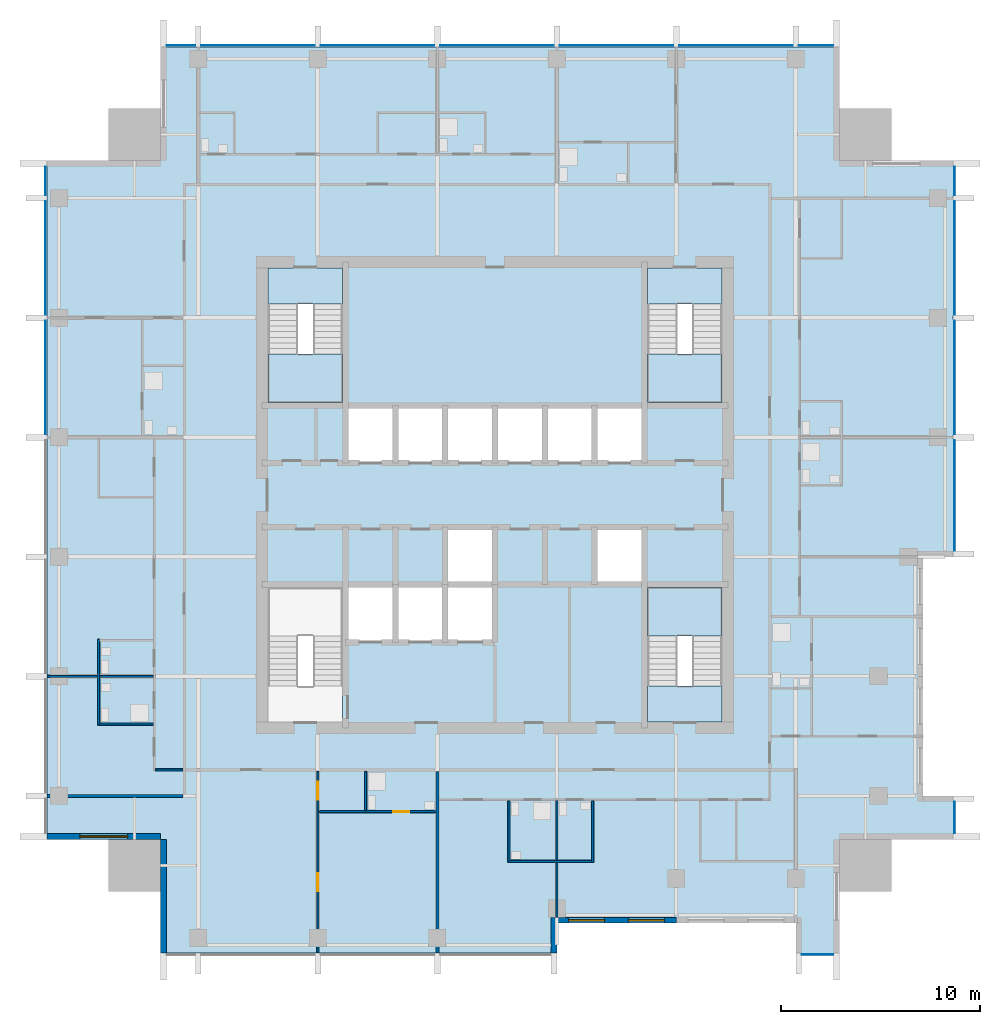
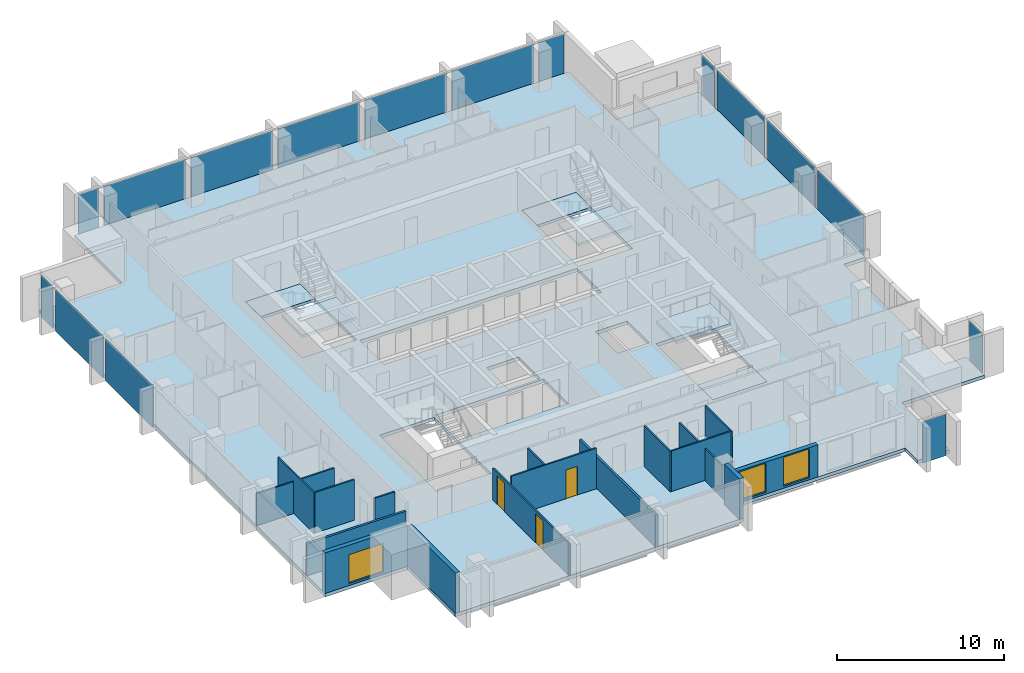
# One storey, part 3 of 10: 17 walls, 16 plates, 7 slabs, 3 doors, 3 windows, 6 openings, 8 elements without a shape of their own.
"""IFC4 building model written with IfcOpenShell, lengths in metres."""

from ifc_helpers import new_model, si_unit, direction, frame, frame_2d, origin, origin_2d, place, context, subcontext, project, spatial, polyline, rectangle, outline, extrude, material, layer, layer_set, type_object, element, fill, aggregate, save


model = new_model("IFC4")

# Units and contexts
model_context = context("Model", 3, precision=1e-05, world=origin(), true_north=direction((0.0, 1.0)))
body_context = subcontext(model_context, "Body", "Model", "MODEL_VIEW")
ifc_project = project(units=[si_unit("LENGTHUNIT", "METRE"), si_unit("AREAUNIT", "SQUARE_METRE"), si_unit("VOLUMEUNIT", "CUBIC_METRE"), si_unit("PLANEANGLEUNIT", "RADIAN"), si_unit("MASSUNIT", "GRAM", prefix="KILO")], contexts=[model_context])

# Site, building, storey
site_placement = place(None, origin())
site = spatial("IfcSite", under=ifc_project, at=site_placement, CompositionType="ELEMENT")
building_placement = place(site_placement, origin())
building = spatial("IfcBuilding", under=site, at=building_placement, Name="Amberfall Residences", CompositionType="ELEMENT")
storey_placement = place(building_placement, frame((0.0, 0.0, 226.60009765625)))
storey = spatial("IfcBuildingStorey", under=building, at=storey_placement, Name="L61", CompositionType="ELEMENT", Elevation=226.60009765625)

# Curtain wall, plate
ifc_material_1 = material(Name="Bronze anodised aluminium and glass", Category="aluminium")
curtain_wall_type = type_object("IfcCurtainWallType", Name="Curtain wall CW1 tower unit", PredefinedType="USERDEFINED", material=ifc_material_1)
curtain_wall_1_placement = place(storey_placement, origin())
curtain_wall_1 = element("IfcCurtainWall", 1, at=curtain_wall_1_placement, inside=storey, type_object=curtain_wall_type, Name="Curtain wall L61 S S6", ObjectType="UNITISED CURTAIN WALL", PredefinedType="USERDEFINED")
ifc_material_2 = material(Name="Tinted double glazed unit", Category="glass")
ifc_layer_1 = layer(ifc_material_2, 0.035888671875)
ifc_layer_set_1 = layer_set([ifc_layer_1], Name="CW1 panel 36 glazing")
plate_type = type_object("IfcPlateType", Name="CW1 panel 36 glazing", PredefinedType="CURTAIN_PANEL", material=ifc_layer_set_1)
plate_1_placement = place(storey_placement, frame((90.699951171875, 22.425048828125, -0.25), z_axis=(0.0, 0.0, 1.0), x_axis=(1.0, 0.0, 0.0)))
plate_1 = element("IfcPlate", 2, at=plate_1_placement, type_object=plate_type, Name="CW1 panel 1.1", PredefinedType="CURTAIN_PANEL", context=body_context, shape_type="SweptSolid", body=[
    extrude(rectangle(XDim=1.575927734375, YDim=0.035888671875, at=origin_2d()), origin(), (0.0, 0.0, 1.0), 3.050048828125),
])
aggregate(curtain_wall_1, [plate_1])

curtain_wall_2_placement = place(storey_placement, origin())
curtain_wall_2 = element("IfcCurtainWall", 3, at=curtain_wall_2_placement, inside=storey, type_object=curtain_wall_type, Name="Curtain wall L61 E E1", ObjectType="UNITISED CURTAIN WALL", PredefinedType="USERDEFINED")
plate_2_placement = place(storey_placement, frame((97.574951171875, 29.300048828125, -0.25), z_axis=(0.0, 0.0, 1.0), x_axis=(0.0, 1.0, 0.0)))
plate_2 = element("IfcPlate", 4, at=plate_2_placement, type_object=plate_type, Name="CW1 panel 1.1", PredefinedType="CURTAIN_PANEL", context=body_context, shape_type="SweptSolid", body=[
    extrude(rectangle(XDim=1.575927734375, YDim=0.035888671875, at=origin_2d()), origin(), (0.0, 0.0, 1.0), 3.050048828125),
])
aggregate(curtain_wall_2, [plate_2])

# Curtain wall, plates
curtain_wall_3_placement = place(storey_placement, origin())
curtain_wall_3 = element("IfcCurtainWall", 5, at=curtain_wall_3_placement, inside=storey, type_object=curtain_wall_type, Name="Curtain wall L61 E E6", ObjectType="UNITISED CURTAIN WALL", PredefinedType="USERDEFINED")
plate_3_placement = place(storey_placement, frame((97.574951171875, 45.47509765625, -0.25), z_axis=(0.0, 0.0, 1.0), x_axis=(0.0, 1.0, 0.0)))
plate_3 = element("IfcPlate", 6, at=plate_3_placement, type_object=plate_type, Name="CW1 panel 1.1", PredefinedType="CURTAIN_PANEL", context=body_context, shape_type="SweptSolid", body=[
    extrude(rectangle(XDim=5.52587890625, YDim=0.035888671875, at=origin_2d()), origin(), (0.0, 0.0, 1.0), 3.050048828125),
])
plate_4_placement = place(storey_placement, frame((97.574951171875, 51.39990234375, -0.25), z_axis=(0.0, 0.0, 1.0), x_axis=(0.0, 1.0, 0.0)))
plate_4 = element("IfcPlate", 7, at=plate_4_placement, type_object=plate_type, Name="CW1 panel 2.1", PredefinedType="CURTAIN_PANEL", context=body_context, shape_type="SweptSolid", body=[
    extrude(rectangle(XDim=5.676025390625, YDim=0.035888671875, at=origin_2d()), origin(), (0.0, 0.0, 1.0), 3.050048828125),
])
plate_5_placement = place(storey_placement, frame((97.574951171875, 57.39990234375, -0.25), z_axis=(0.0, 0.0, 1.0), x_axis=(0.0, 1.0, 0.0)))
plate_5 = element("IfcPlate", 8, at=plate_5_placement, type_object=plate_type, Name="CW1 panel 3.1", PredefinedType="CURTAIN_PANEL", context=body_context, shape_type="SweptSolid", body=[
    extrude(rectangle(XDim=5.676025390625, YDim=0.035888671875, at=origin_2d()), origin(), (0.0, 0.0, 1.0), 3.050048828125),
])
plate_6_placement = place(storey_placement, frame((97.574951171875, 61.27490234375, -0.25), z_axis=(0.0, 0.0, 1.0), x_axis=(0.0, 1.0, 0.0)))
plate_6 = element("IfcPlate", 9, at=plate_6_placement, type_object=plate_type, Name="CW1 panel 4.1", PredefinedType="CURTAIN_PANEL", context=body_context, shape_type="SweptSolid", body=[
    extrude(rectangle(XDim=1.426025390625, YDim=0.035888671875, at=origin_2d()), origin(), (0.0, 0.0, 1.0), 3.050048828125),
])
aggregate(curtain_wall_3, [plate_3, plate_4, plate_5, plate_6])

curtain_wall_4_placement = place(storey_placement, origin())
curtain_wall_4 = element("IfcCurtainWall", 10, at=curtain_wall_4_placement, inside=storey, type_object=curtain_wall_type, Name="Curtain wall L61 N N1", ObjectType="UNITISED CURTAIN WALL", PredefinedType="USERDEFINED")
plate_7_placement = place(storey_placement, frame((90.625, 68.074951171875, -0.25), z_axis=(0.0, 0.0, 1.0), x_axis=(-1.0, 0.0, 0.0)))
plate_7 = element("IfcPlate", 11, at=plate_7_placement, type_object=plate_type, Name="CW1 panel 1.1", PredefinedType="CURTAIN_PANEL", context=body_context, shape_type="SweptSolid", body=[
    extrude(rectangle(XDim=1.72607421875, YDim=0.035888671875, at=origin_2d()), origin(), (0.0, 0.0, 1.0), 3.050048828125),
])
plate_8_placement = place(storey_placement, frame((86.60009765625, 68.074951171875, -0.25), z_axis=(0.0, 0.0, 1.0), x_axis=(-1.0, 0.0, 0.0)))
plate_8 = element("IfcPlate", 12, at=plate_8_placement, type_object=plate_type, Name="CW1 panel 2.1", PredefinedType="CURTAIN_PANEL", context=body_context, shape_type="SweptSolid", body=[
    extrude(rectangle(XDim=5.676025390625, YDim=0.035888671875, at=origin_2d()), origin(), (0.0, 0.0, 1.0), 3.050048828125),
])
plate_9_placement = place(storey_placement, frame((80.60009765625, 68.074951171875, -0.25), z_axis=(0.0, 0.0, 1.0), x_axis=(-1.0, 0.0, 0.0)))
plate_9 = element("IfcPlate", 13, at=plate_9_placement, type_object=plate_type, Name="CW1 panel 3.1", PredefinedType="CURTAIN_PANEL", context=body_context, shape_type="SweptSolid", body=[
    extrude(rectangle(XDim=5.676025390625, YDim=0.035888671875, at=origin_2d()), origin(), (0.0, 0.0, 1.0), 3.050048828125),
])
plate_10_placement = place(storey_placement, frame((74.60009765625, 68.074951171875, -0.25), z_axis=(0.0, 0.0, 1.0), x_axis=(-1.0, 0.0, 0.0)))
plate_10 = element("IfcPlate", 14, at=plate_10_placement, type_object=plate_type, Name="CW1 panel 4.1", PredefinedType="CURTAIN_PANEL", context=body_context, shape_type="SweptSolid", body=[
    extrude(rectangle(XDim=5.676025390625, YDim=0.035888671875, at=origin_2d()), origin(), (0.0, 0.0, 1.0), 3.050048828125),
])
plate_11_placement = place(storey_placement, frame((68.60009765625, 68.074951171875, -0.25), z_axis=(0.0, 0.0, 1.0), x_axis=(-1.0, 0.0, 0.0)))
plate_11 = element("IfcPlate", 15, at=plate_11_placement, type_object=plate_type, Name="CW1 panel 5.1", PredefinedType="CURTAIN_PANEL", context=body_context, shape_type="SweptSolid", body=[
    extrude(rectangle(XDim=5.676025390625, YDim=0.035888671875, at=origin_2d()), origin(), (0.0, 0.0, 1.0), 3.050048828125),
])
plate_12_placement = place(storey_placement, frame((62.60009765625, 68.074951171875, -0.25), z_axis=(0.0, 0.0, 1.0), x_axis=(-1.0, 0.0, 0.0)))
plate_12 = element("IfcPlate", 16, at=plate_12_placement, type_object=plate_type, Name="CW1 panel 6.1", PredefinedType="CURTAIN_PANEL", context=body_context, shape_type="SweptSolid", body=[
    extrude(rectangle(XDim=5.676025390625, YDim=0.035888671875, at=origin_2d()), origin(), (0.0, 0.0, 1.0), 3.050048828125),
])
plate_13_placement = place(storey_placement, frame((58.72509765625, 68.074951171875, -0.25), z_axis=(0.0, 0.0, 1.0), x_axis=(-1.0, 0.0, 0.0)))
plate_13 = element("IfcPlate", 17, at=plate_13_placement, type_object=plate_type, Name="CW1 panel 7.1", PredefinedType="CURTAIN_PANEL", context=body_context, shape_type="SweptSolid", body=[
    extrude(rectangle(XDim=1.426025390625, YDim=0.035888671875, at=origin_2d()), origin(), (0.0, 0.0, 1.0), 3.050048828125),
])
aggregate(curtain_wall_4, [plate_7, plate_8, plate_9, plate_10, plate_11, plate_12, plate_13])

curtain_wall_5_placement = place(storey_placement, origin())
curtain_wall_5 = element("IfcCurtainWall", 18, at=curtain_wall_5_placement, inside=storey, type_object=curtain_wall_type, Name="Curtain wall L61 W W1", ObjectType="UNITISED CURTAIN WALL", PredefinedType="USERDEFINED")
plate_14_placement = place(storey_placement, frame((51.925048828125, 61.27490234375, -0.25), z_axis=(0.0, 0.0, 1.0), x_axis=(0.0, -1.0, 0.0)))
plate_14 = element("IfcPlate", 19, at=plate_14_placement, type_object=plate_type, Name="CW1 panel 1.1", PredefinedType="CURTAIN_PANEL", context=body_context, shape_type="SweptSolid", body=[
    extrude(rectangle(XDim=1.426025390625, YDim=0.035888671875, at=origin_2d()), origin(), (0.0, 0.0, 1.0), 3.050048828125),
])
plate_15_placement = place(storey_placement, frame((51.925048828125, 57.39990234375, -0.25), z_axis=(0.0, 0.0, 1.0), x_axis=(0.0, -1.0, 0.0)))
plate_15 = element("IfcPlate", 20, at=plate_15_placement, type_object=plate_type, Name="CW1 panel 2.1", PredefinedType="CURTAIN_PANEL", context=body_context, shape_type="SweptSolid", body=[
    extrude(rectangle(XDim=5.676025390625, YDim=0.035888671875, at=origin_2d()), origin(), (0.0, 0.0, 1.0), 3.050048828125),
])
plate_16_placement = place(storey_placement, frame((51.925048828125, 51.39990234375, -0.25), z_axis=(0.0, 0.0, 1.0), x_axis=(0.0, -1.0, 0.0)))
plate_16 = element("IfcPlate", 21, at=plate_16_placement, type_object=plate_type, Name="CW1 panel 3.1", PredefinedType="CURTAIN_PANEL", context=body_context, shape_type="SweptSolid", body=[
    extrude(rectangle(XDim=5.676025390625, YDim=0.035888671875, at=origin_2d()), origin(), (0.0, 0.0, 1.0), 3.050048828125),
])
aggregate(curtain_wall_5, [plate_14, plate_15, plate_16])

# Slab
ifc_material_3 = material(Name="Concrete C55", Category="concrete")
ifc_layer_2 = layer(ifc_material_3, 0.25)
ifc_layer_set_2 = layer_set([ifc_layer_2], Name="Floor slab 250 C55")
slab_type_1 = type_object("IfcSlabType", Name="Floor slab 250 C55", PredefinedType="FLOOR", material=ifc_layer_set_2)
slab_1_placement = place(storey_placement, frame((0.0, 0.0, -0.25)))
element("IfcSlab", 22, at=slab_1_placement, inside=storey, type_object=slab_type_1, Name="Floor slab S16 L61", PredefinedType="FLOOR", context=body_context, shape_type="SweptSolid", body=[
    extrude(outline(polyline([(89.60009765625, 22.5), (89.60009765625, 24.0), (83.60009765625, 24.0), (77.60009765625, 24.0), (77.60009765625, 22.5), (57.699951171875, 22.5), (57.699951171875, 28.199951171875), (52.0, 28.199951171875), (52.0, 62.300048828125), (57.699951171875, 62.300048828125), (57.699951171875, 68.0), (91.800048828125, 68.0), (91.800048828125, 62.300048828125), (97.5, 62.300048828125), (97.5, 42.39990234375), (96.0, 42.39990234375), (96.0, 36.39990234375), (96.0, 30.39990234375), (97.5, 30.39990234375), (97.5, 28.199951171875), (91.800048828125, 28.199951171875), (91.800048828125, 22.5), (89.60009765625, 22.5)]), holes=[polyline([(85.89990234375, 34.10009765625), (85.89990234375, 40.85009765625), (82.14990234375, 40.85009765625), (82.14990234375, 34.10009765625), (85.89990234375, 34.10009765625)]), polyline([(85.89990234375, 50.14990234375), (85.89990234375, 56.89990234375), (82.14990234375, 56.89990234375), (82.14990234375, 50.14990234375), (85.89990234375, 50.14990234375)]), polyline([(72.0, 50.0), (69.5, 50.0), (67.0, 50.0), (67.0, 47.10009765625), (69.5, 47.10009765625), (72.0, 47.10009765625), (74.5, 47.10009765625), (77.0, 47.10009765625), (79.5, 47.10009765625), (82.0, 47.10009765625), (82.0, 50.0), (79.5, 50.0), (77.0, 50.0), (74.5, 50.0), (72.0, 50.0)]), polyline([(81.85009765625, 41.14990234375), (81.85009765625, 43.75), (79.64990234375, 43.75), (79.64990234375, 41.14990234375), (81.85009765625, 41.14990234375)]), polyline([(69.5, 41.0), (67.0, 41.0), (67.0, 38.10009765625), (69.5, 38.10009765625), (72.0, 38.10009765625), (74.5, 38.10009765625), (74.5, 41.0), (72.0, 41.0), (69.5, 41.0)]), polyline([(74.35009765625, 41.14990234375), (74.35009765625, 43.75), (72.14990234375, 43.75), (72.14990234375, 41.14990234375), (74.35009765625, 41.14990234375)]), polyline([(66.85009765625, 50.14990234375), (66.85009765625, 56.89990234375), (63.10009765625, 56.89990234375), (63.10009765625, 50.14990234375), (66.85009765625, 50.14990234375)]), polyline([(66.85009765625, 40.85009765625), (63.10009765625, 40.85009765625), (63.10009765625, 34.10009765625), (66.85009765625, 34.10009765625), (66.85009765625, 40.85009765625)])]), origin(), (0.0, 0.0, 1.0), 0.25),
])

# Stair, slabs
ifc_material_4 = material(Name="Concrete C40", Category="concrete")
stair_type = type_object("IfcStairType", Name="Exit stair 20 risers 165.0 mm", PredefinedType="HALF_TURN_STAIR", material=ifc_material_4)
stair_1_placement = place(storey_placement, origin())
stair_1 = element("IfcStair", 23, at=stair_1_placement, inside=storey, type_object=stair_type, Name="L61 Exit stair 2", PredefinedType="HALF_TURN_STAIR")
ifc_layer_3 = layer(ifc_material_4, 0.199951171875)
ifc_layer_set_3 = layer_set([ifc_layer_3], Name="Stair landing 200")
slab_type_2 = type_object("IfcSlabType", Name="Stair landing 200", PredefinedType="LANDING", material=ifc_layer_set_3)
slab_2_placement = place(storey_placement, frame((0.0, 0.0, 1.449951171875)))
slab_2 = element("IfcSlab", 24, at=slab_2_placement, type_object=slab_type_2, Name="ST3 landing 1", PredefinedType="LANDING", context=body_context, shape_type="SweptSolid", body=[
    extrude(outline(polyline([(85.89990234375, 38.419921875), (85.89990234375, 40.85009765625), (82.14990234375, 40.85009765625), (82.14990234375, 38.419921875), (85.89990234375, 38.419921875)])), origin(), (0.0, 0.0, 1.0), 0.199951171875),
])
slab_3_placement = place(storey_placement, frame((0.0, 0.0, -0.2001953125)))
slab_3 = element("IfcSlab", 25, at=slab_3_placement, type_object=slab_type_2, Name="ST3 landing 2", PredefinedType="LANDING", context=body_context, shape_type="SweptSolid", body=[
    extrude(outline(polyline([(85.89990234375, 34.10009765625), (85.89990234375, 35.89990234375), (82.14990234375, 35.89990234375), (82.14990234375, 34.10009765625), (85.89990234375, 34.10009765625)])), origin(), (0.0, 0.0, 1.0), 0.2001953125),
])
aggregate(stair_1, [slab_2, slab_3])

stair_2_placement = place(storey_placement, origin())
stair_2 = element("IfcStair", 26, at=stair_2_placement, inside=storey, type_object=stair_type, Name="L61 Exit stair 3", PredefinedType="HALF_TURN_STAIR")
slab_4_placement = place(storey_placement, frame((0.0, 0.0, 1.449951171875)))
slab_4 = element("IfcSlab", 27, at=slab_4_placement, type_object=slab_type_2, Name="ST3 landing 1", PredefinedType="LANDING", context=body_context, shape_type="SweptSolid", body=[
    extrude(outline(polyline([(82.14990234375, 52.580078125), (82.14990234375, 50.14990234375), (85.89990234375, 50.14990234375), (85.89990234375, 52.580078125), (82.14990234375, 52.580078125)])), origin(), (0.0, 0.0, 1.0), 0.199951171875),
])
slab_5_placement = place(storey_placement, frame((0.0, 0.0, -0.2001953125)))
slab_5 = element("IfcSlab", 28, at=slab_5_placement, type_object=slab_type_2, Name="ST3 landing 2", PredefinedType="LANDING", context=body_context, shape_type="SweptSolid", body=[
    extrude(outline(polyline([(82.14990234375, 56.89990234375), (82.14990234375, 55.10009765625), (85.89990234375, 55.10009765625), (85.89990234375, 56.89990234375), (82.14990234375, 56.89990234375)])), origin(), (0.0, 0.0, 1.0), 0.2001953125),
])
aggregate(stair_2, [slab_4, slab_5])

stair_3_placement = place(storey_placement, origin())
stair_3 = element("IfcStair", 29, at=stair_3_placement, inside=storey, type_object=stair_type, Name="L61 Exit stair 4", PredefinedType="HALF_TURN_STAIR")
slab_6_placement = place(storey_placement, frame((0.0, 0.0, 1.449951171875)))
slab_6 = element("IfcSlab", 30, at=slab_6_placement, type_object=slab_type_2, Name="ST3 landing 1", PredefinedType="LANDING", context=body_context, shape_type="SweptSolid", body=[
    extrude(outline(polyline([(63.10009765625, 52.580078125), (63.10009765625, 50.14990234375), (66.85009765625, 50.14990234375), (66.85009765625, 52.580078125), (63.10009765625, 52.580078125)])), origin(), (0.0, 0.0, 1.0), 0.199951171875),
])
slab_7_placement = place(storey_placement, frame((0.0, 0.0, -0.2001953125)))
slab_7 = element("IfcSlab", 31, at=slab_7_placement, type_object=slab_type_2, Name="ST3 landing 2", PredefinedType="LANDING", context=body_context, shape_type="SweptSolid", body=[
    extrude(outline(polyline([(63.10009765625, 56.89990234375), (63.10009765625, 55.10009765625), (66.85009765625, 55.10009765625), (66.85009765625, 56.89990234375), (63.10009765625, 56.89990234375)])), origin(), (0.0, 0.0, 1.0), 0.2001953125),
])
aggregate(stair_3, [slab_6, slab_7])

# Wall
ifc_material_5 = material(Name="Pale stone cladding on insulated backing", Category="masonry")
ifc_layer_4 = layer(ifc_material_5, 0.300048828125)
ifc_layer_set_4 = layer_set([ifc_layer_4], Name="Bronze clad wall 300")
wall_type_1 = type_object("IfcWallType", Name="Bronze clad wall 300", PredefinedType="SOLIDWALL", material=ifc_layer_set_4)
wall_1_placement = place(storey_placement, frame((77.449951171875, 22.5, 0.0), z_axis=(0.0, 0.0, 1.0), x_axis=(0.0, 1.0, 0.0)))
element("IfcWall", 32, at=wall_1_placement, inside=storey, type_object=wall_type_1, Name="External wall L61 S", PredefinedType="SOLIDWALL", context=body_context, shape_type="SweptSolid", body=[
    extrude(rectangle(XDim=1.800048828125, YDim=0.300048828125, at=frame_2d((0.89990234375, 0.0))), origin(), (0.0, 0.0, 1.0), 2.949951171875),
])

# Wall, opening, window
wall_2_placement = place(storey_placement, frame((52.0, 28.35009765625, 0.0), z_axis=(0.0, 0.0, 1.0), x_axis=(1.0, 0.0, 0.0)))
wall_2 = element("IfcWall", 33, at=wall_2_placement, inside=storey, type_object=wall_type_1, Name="External wall L61 SW", PredefinedType="SOLIDWALL", context=body_context, shape_type="SweptSolid", body=[
    extrude(rectangle(XDim=5.699951171875, YDim=0.300048828125, at=frame_2d((2.85009765625, 0.0))), origin(), (0.0, 0.0, 1.0), 2.949951171875),
])
opening_1_placement = place(wall_2_placement, frame((1.64990234375, 0.0, 0.14990234375)))
opening_1 = element("IfcOpeningElement", 34, at=opening_1_placement, cuts=wall_2, Name="Opening WN5", PredefinedType="OPENING", context=body_context, shape_type="SweptSolid", body=[
    extrude(rectangle(XDim=2.39990234375, YDim=2.10009765625, at=frame_2d((1.199951171875, 1.050048828125))), frame((0.0, 0.159912109375, 0.0), z_axis=(0.0, -1.0, 0.0), x_axis=(1.0, 0.0, 0.0)), (0.0, 0.0, 1.0), 0.320068359375),
])
ifc_material_6 = material(Name="Bronze aluminium framed glazing", Category="aluminium")
window_type_1 = type_object("IfcWindowType", Name="Glazed opening 2400 x 2100 bronze", PartitioningType="DOUBLE_PANEL_VERTICAL", PredefinedType="WINDOW", material=ifc_material_6)
window_1_placement = place(opening_1_placement, origin())
window_1 = element("IfcWindow", 35, at=window_1_placement, inside=storey, type_object=window_type_1, Name="Window L61 SW", OverallHeight=2.10009765625, OverallWidth=2.39990234375, PartitioningType="DOUBLE_PANEL_VERTICAL", PredefinedType="WINDOW", context=body_context, shape_type="SweptSolid", body=[
    extrude(rectangle(XDim=2.39990234375, YDim=2.10009765625, at=frame_2d((1.199951171875, 1.050048828125))), frame((0.0, 0.030029296875, 0.0), z_axis=(0.0, -1.0, 0.0), x_axis=(1.0, 0.0, 0.0)), (0.0, 0.0, 1.0), 0.06005859375),
])
fill(opening_1, window_1)

# Wall
wall_3_placement = place(storey_placement, frame((57.85009765625, 28.199951171875, 0.0), z_axis=(0.0, 0.0, 1.0), x_axis=(0.0, -1.0, 0.0)))
element("IfcWall", 36, at=wall_3_placement, inside=storey, type_object=wall_type_1, Name="External wall L61 SW", PredefinedType="SOLIDWALL", context=body_context, shape_type="SweptSolid", body=[
    extrude(rectangle(XDim=5.699951171875, YDim=0.300048828125, at=frame_2d((2.85009765625, 0.0))), origin(), (0.0, 0.0, 1.0), 2.949951171875),
])

# Wall, openings, windows
wall_4_placement = place(storey_placement, frame((77.60009765625, 24.14990234375, 0.0), z_axis=(0.0, 0.0, 1.0), x_axis=(1.0, 0.0, 0.0)))
wall_4 = element("IfcWall", 37, at=wall_4_placement, inside=storey, type_object=wall_type_1, Name="Stone wall L61 S", PredefinedType="SOLIDWALL", context=body_context, shape_type="SweptSolid", body=[
    extrude(rectangle(XDim=6.0, YDim=0.300048828125, at=frame_2d((3.0, 0.0))), origin(), (0.0, 0.0, 1.0), 2.34033203125),
])
opening_2_placement = place(wall_4_placement, frame((0.60009765625, 0.0, 0.14990234375)))
opening_2 = element("IfcOpeningElement", 38, at=opening_2_placement, cuts=wall_4, Name="Opening WN6", PredefinedType="OPENING", context=body_context, shape_type="SweptSolid", body=[
    extrude(rectangle(XDim=1.800048828125, YDim=2.10009765625, at=frame_2d((0.89990234375, 1.050048828125))), frame((0.0, 0.159912109375, 0.0), z_axis=(0.0, -1.0, 0.0), x_axis=(1.0, 0.0, 0.0)), (0.0, 0.0, 1.0), 0.320068359375),
])
opening_3_placement = place(wall_4_placement, frame((3.60009765625, 0.0, 0.14990234375)))
opening_3 = element("IfcOpeningElement", 39, at=opening_3_placement, cuts=wall_4, Name="Opening WN6", PredefinedType="OPENING", context=body_context, shape_type="SweptSolid", body=[
    extrude(rectangle(XDim=1.800048828125, YDim=2.10009765625, at=frame_2d((0.89990234375, 1.050048828125))), frame((0.0, 0.159912109375, 0.0), z_axis=(0.0, -1.0, 0.0), x_axis=(1.0, 0.0, 0.0)), (0.0, 0.0, 1.0), 0.320068359375),
])
window_type_2 = type_object("IfcWindowType", Name="Glazed opening 1800 x 2100 bronze", PartitioningType="DOUBLE_PANEL_VERTICAL", PredefinedType="WINDOW", material=ifc_material_6)
window_2_placement = place(opening_2_placement, origin())
window_2 = element("IfcWindow", 40, at=window_2_placement, inside=storey, type_object=window_type_2, Name="Window L61 S", OverallHeight=2.10009765625, OverallWidth=1.800048828125, PartitioningType="DOUBLE_PANEL_VERTICAL", PredefinedType="WINDOW", context=body_context, shape_type="SweptSolid", body=[
    extrude(rectangle(XDim=1.800048828125, YDim=2.10009765625, at=frame_2d((0.89990234375, 1.050048828125))), frame((0.0, 0.030029296875, 0.0), z_axis=(0.0, -1.0, 0.0), x_axis=(1.0, 0.0, 0.0)), (0.0, 0.0, 1.0), 0.06005859375),
])
fill(opening_2, window_2)
window_3_placement = place(opening_3_placement, origin())
window_3 = element("IfcWindow", 41, at=window_3_placement, inside=storey, type_object=window_type_2, Name="Window L61 S", OverallHeight=2.10009765625, OverallWidth=1.800048828125, PartitioningType="DOUBLE_PANEL_VERTICAL", PredefinedType="WINDOW", context=body_context, shape_type="SweptSolid", body=[
    extrude(rectangle(XDim=1.800048828125, YDim=2.10009765625, at=frame_2d((0.89990234375, 1.050048828125))), frame((0.0, 0.030029296875, 0.0), z_axis=(0.0, -1.0, 0.0), x_axis=(1.0, 0.0, 0.0)), (0.0, 0.0, 1.0), 0.06005859375),
])
fill(opening_3, window_3)

# Wall
ifc_material_7 = material(Name="Gypsum board on metal stud")
ifc_layer_5 = layer(ifc_material_7, 0.10009765625)
ifc_layer_set_5 = layer_set([ifc_layer_5], Name="Flat partition 100")
wall_type_2 = type_object("IfcWallType", Name="Flat partition 100", PredefinedType="PARTITIONING", material=ifc_layer_set_5)
wall_5_placement = place(storey_placement, frame((54.60009765625, 33.949951171875, 0.0), z_axis=(0.0, 0.0, 1.0), x_axis=(0.0, 1.0, 0.0)))
element("IfcWall", 42, at=wall_5_placement, inside=storey, type_object=wall_type_2, Name="Partition 001", PredefinedType="PARTITIONING", context=body_context, shape_type="SweptSolid", body=[
    extrude(rectangle(XDim=4.300048828125, YDim=0.10009765625, at=frame_2d((2.14990234375, 0.0))), origin(), (0.0, 0.0, 1.0), 2.949951171875),
])

# Wall, openings, doors
wall_6_placement = place(storey_placement, frame((65.60009765625, 31.625, 0.0), z_axis=(0.0, 0.0, 1.0), x_axis=(0.0, -1.0, 0.0)))
wall_6 = element("IfcWall", 43, at=wall_6_placement, inside=storey, type_object=wall_type_2, Name="Partition 006", PredefinedType="PARTITIONING", context=body_context, shape_type="SweptSolid", body=[
    extrude(rectangle(XDim=9.125, YDim=0.10009765625, at=frame_2d((4.5625, 0.0))), origin(), (0.0, 0.0, 1.0), 2.331787109375),
])
opening_4_placement = place(wall_6_placement, frame((0.52490234375, 0.0, 0.0)))
opening_4 = element("IfcOpeningElement", 44, at=opening_4_placement, cuts=wall_6, Name="Opening D41", PredefinedType="OPENING", context=body_context, shape_type="SweptSolid", body=[
    extrude(rectangle(XDim=0.89990234375, YDim=2.10009765625, at=frame_2d((0.449951171875, 1.050048828125))), frame((0.0, 0.06005859375, 0.0), z_axis=(0.0, -1.0, 0.0), x_axis=(1.0, 0.0, 0.0)), (0.0, 0.0, 1.0), 0.1201171875),
])
opening_5_placement = place(wall_6_placement, frame((5.125, 0.0, 0.0)))
opening_5 = element("IfcOpeningElement", 45, at=opening_5_placement, cuts=wall_6, Name="Opening D41", PredefinedType="OPENING", context=body_context, shape_type="SweptSolid", body=[
    extrude(rectangle(XDim=0.89990234375, YDim=2.10009765625, at=frame_2d((0.449951171875, 1.050048828125))), frame((0.0, 0.06005859375, 0.0), z_axis=(0.0, -1.0, 0.0), x_axis=(1.0, 0.0, 0.0)), (0.0, 0.0, 1.0), 0.1201171875),
])
ifc_material_8 = material(Name="Timber", Category="wood")
door_type_1 = type_object("IfcDoorType", Name="Internal door 900 x 2100", OperationType="SINGLE_SWING_LEFT", PredefinedType="DOOR", material=ifc_material_8)
door_1_placement = place(opening_4_placement, origin())
door_1 = element("IfcDoor", 46, at=door_1_placement, inside=storey, type_object=door_type_1, Name="Door 6101 kitchen", OperationType="SINGLE_SWING_LEFT", OverallHeight=2.10009765625, OverallWidth=0.89990234375, PredefinedType="DOOR", context=body_context, shape_type="SweptSolid", body=[
    extrude(rectangle(XDim=0.89990234375, YDim=2.10009765625, at=frame_2d((0.449951171875, 1.050048828125))), frame((0.0, 0.02490234375, 0.0), z_axis=(0.0, -1.0, 0.0), x_axis=(1.0, 0.0, 0.0)), (0.0, 0.0, 1.0), 0.050048828125),
])
fill(opening_4, door_1)
door_2_placement = place(opening_5_placement, origin())
door_2 = element("IfcDoor", 47, at=door_2_placement, inside=storey, type_object=door_type_1, Name="Door 6101 bedroom1", OperationType="SINGLE_SWING_LEFT", OverallHeight=2.10009765625, OverallWidth=0.89990234375, PredefinedType="DOOR", context=body_context, shape_type="SweptSolid", body=[
    extrude(rectangle(XDim=0.89990234375, YDim=2.10009765625, at=frame_2d((0.449951171875, 1.050048828125))), frame((0.0, 0.02490234375, 0.0), z_axis=(0.0, -1.0, 0.0), x_axis=(1.0, 0.0, 0.0)), (0.0, 0.0, 1.0), 0.050048828125),
])
fill(opening_5, door_2)

# Walls
wall_7_placement = place(storey_placement, frame((68.0, 29.64990234375, 0.0), z_axis=(0.0, 0.0, 1.0), x_axis=(0.0, 1.0, 0.0)))
element("IfcWall", 48, at=wall_7_placement, inside=storey, type_object=wall_type_2, Name="Partition 007", PredefinedType="PARTITIONING", context=body_context, shape_type="SweptSolid", body=[
    extrude(rectangle(XDim=1.97509765625, YDim=0.10009765625, at=frame_2d((0.987548828125, 0.0))), origin(), (0.0, 0.0, 1.0), 2.949951171875),
])
wall_8_placement = place(storey_placement, frame((75.199951171875, 27.050048828125, 0.0), z_axis=(0.0, 0.0, 1.0), x_axis=(0.0, 1.0, 0.0)))
element("IfcWall", 49, at=wall_8_placement, inside=storey, type_object=wall_type_2, Name="Partition 011", PredefinedType="PARTITIONING", context=body_context, shape_type="SweptSolid", body=[
    extrude(rectangle(XDim=3.099853515625, YDim=0.10009765625, at=frame_2d((1.5498046875, 0.0))), origin(), (0.0, 0.0, 1.0), 2.949951171875),
])
wall_9_placement = place(storey_placement, frame((77.60009765625, 24.0, 0.0), z_axis=(0.0, 0.0, 1.0), x_axis=(0.0, 1.0, 0.0)))
element("IfcWall", 50, at=wall_9_placement, inside=storey, type_object=wall_type_2, Name="Partition 012", PredefinedType="PARTITIONING", context=body_context, shape_type="SweptSolid", body=[
    extrude(rectangle(XDim=6.14990234375, YDim=0.10009765625, at=frame_2d((3.074951171875, 0.0))), origin(), (0.0, 0.0, 1.0), 2.331787109375),
])
wall_10_placement = place(storey_placement, frame((79.39990234375, 27.050048828125, 0.0), z_axis=(0.0, 0.0, 1.0), x_axis=(0.0, 1.0, 0.0)))
element("IfcWall", 51, at=wall_10_placement, inside=storey, type_object=wall_type_2, Name="Partition 013", PredefinedType="PARTITIONING", context=body_context, shape_type="SweptSolid", body=[
    extrude(rectangle(XDim=3.099853515625, YDim=0.10009765625, at=frame_2d((1.5498046875, 0.0))), origin(), (0.0, 0.0, 1.0), 2.949951171875),
])
wall_11_placement = place(storey_placement, frame((52.0, 36.39990234375, 0.0), z_axis=(0.0, 0.0, 1.0), x_axis=(1.0, 0.0, 0.0)))
element("IfcWall", 52, at=wall_11_placement, inside=storey, type_object=wall_type_2, Name="Partition 036", PredefinedType="PARTITIONING", context=body_context, shape_type="SweptSolid", body=[
    extrude(rectangle(XDim=5.35009765625, YDim=0.10009765625, at=frame_2d((2.675048828125, 0.0))), origin(), (0.0, 0.0, 1.0), 2.331787109375),
])
wall_12_placement = place(storey_placement, frame((54.64990234375, 34.0, 0.0), z_axis=(0.0, 0.0, 1.0), x_axis=(1.0, 0.0, 0.0)))
element("IfcWall", 53, at=wall_12_placement, inside=storey, type_object=wall_type_2, Name="Partition 038", PredefinedType="PARTITIONING", context=body_context, shape_type="SweptSolid", body=[
    extrude(rectangle(XDim=2.7001953125, YDim=0.10009765625, at=frame_2d((1.35009765625, 0.0))), origin(), (0.0, 0.0, 1.0), 2.949951171875),
])
wall_13_placement = place(storey_placement, frame((57.449951171875, 31.699951171875, 0.0), z_axis=(0.0, 0.0, 1.0), x_axis=(1.0, 0.0, 0.0)))
element("IfcWall", 54, at=wall_13_placement, inside=storey, type_object=wall_type_2, Name="Partition 040", PredefinedType="PARTITIONING", context=body_context, shape_type="SweptSolid", body=[
    extrude(rectangle(XDim=1.375, YDim=0.10009765625, at=frame_2d((0.6875, 0.0))), origin(), (0.0, 0.0, 1.0), 2.949951171875),
])

# Wall, opening, door
wall_14_placement = place(storey_placement, frame((65.64990234375, 29.60009765625, 0.0), z_axis=(0.0, 0.0, 1.0), x_axis=(1.0, 0.0, 0.0)))
wall_14 = element("IfcWall", 55, at=wall_14_placement, inside=storey, type_object=wall_type_2, Name="Partition 042", PredefinedType="PARTITIONING", context=body_context, shape_type="SweptSolid", body=[
    extrude(rectangle(XDim=5.875, YDim=0.10009765625, at=frame_2d((2.9375, 0.0))), origin(), (0.0, 0.0, 1.0), 2.949951171875),
])
opening_6_placement = place(wall_14_placement, frame((3.75, 0.0, 0.0)))
opening_6 = element("IfcOpeningElement", 56, at=opening_6_placement, cuts=wall_14, Name="Opening D42", PredefinedType="OPENING", context=body_context, shape_type="SweptSolid", body=[
    extrude(rectangle(XDim=0.800048828125, YDim=2.10009765625, at=frame_2d((0.39990234375, 1.050048828125))), frame((0.0, 0.06005859375, 0.0), z_axis=(0.0, -1.0, 0.0), x_axis=(1.0, 0.0, 0.0)), (0.0, 0.0, 1.0), 0.1201171875),
])
door_type_2 = type_object("IfcDoorType", Name="Bathroom door 800 x 2100", OperationType="SINGLE_SWING_LEFT", PredefinedType="DOOR", material=ifc_material_8)
door_3_placement = place(opening_6_placement, origin())
door_3 = element("IfcDoor", 57, at=door_3_placement, inside=storey, type_object=door_type_2, Name="Door 6101 bath1", OperationType="SINGLE_SWING_LEFT", OverallHeight=2.10009765625, OverallWidth=0.800048828125, PredefinedType="DOOR", context=body_context, shape_type="SweptSolid", body=[
    extrude(rectangle(XDim=0.800048828125, YDim=2.10009765625, at=frame_2d((0.39990234375, 1.050048828125))), frame((0.0, 0.02490234375, 0.0), z_axis=(0.0, -1.0, 0.0), x_axis=(1.0, 0.0, 0.0)), (0.0, 0.0, 1.0), 0.050048828125),
])
fill(opening_6, door_3)

# Walls
wall_15_placement = place(storey_placement, frame((75.25, 27.10009765625, 0.0), z_axis=(0.0, 0.0, 1.0), x_axis=(1.0, 0.0, 0.0)))
element("IfcWall", 58, at=wall_15_placement, inside=storey, type_object=wall_type_2, Name="Partition 043", PredefinedType="PARTITIONING", context=body_context, shape_type="SweptSolid", body=[
    extrude(rectangle(XDim=4.10009765625, YDim=0.10009765625, at=frame_2d((2.050048828125, 0.0))), origin(), (0.0, 0.0, 1.0), 2.949951171875),
])
ifc_material_9 = material(Name="Blockwork, plastered", Category="masonry")
ifc_layer_6 = layer(ifc_material_9, 0.14990234375)
ifc_layer_set_6 = layer_set([ifc_layer_6], Name="Flat separating wall 150")
wall_type_3 = type_object("IfcWallType", Name="Flat separating wall 150", PredefinedType="PARTITIONING", material=ifc_layer_set_6)
wall_16_placement = place(storey_placement, frame((71.60009765625, 22.5, 0.0), z_axis=(0.0, 0.0, 1.0), x_axis=(0.0, 1.0, 0.0)))
element("IfcWall", 59, at=wall_16_placement, inside=storey, type_object=wall_type_3, Name="Separating wall 047", PredefinedType="PARTITIONING", context=body_context, shape_type="SweptSolid", body=[
    extrude(rectangle(XDim=9.125, YDim=0.14990234375, at=frame_2d((4.5625, 0.0))), origin(), (0.0, 0.0, 1.0), 2.331787109375),
])
wall_17_placement = place(storey_placement, frame((52.0, 30.39990234375, 0.0), z_axis=(0.0, 0.0, 1.0), x_axis=(1.0, 0.0, 0.0)))
element("IfcWall", 60, at=wall_17_placement, inside=storey, type_object=wall_type_3, Name="Separating wall 056", PredefinedType="PARTITIONING", context=body_context, shape_type="SweptSolid", body=[
    extrude(rectangle(XDim=6.824951171875, YDim=0.14990234375, at=frame_2d((3.41259765625, 0.0))), origin(), (0.0, 0.0, 1.0), 2.331787109375),
])

save(model, "model.ifc")
